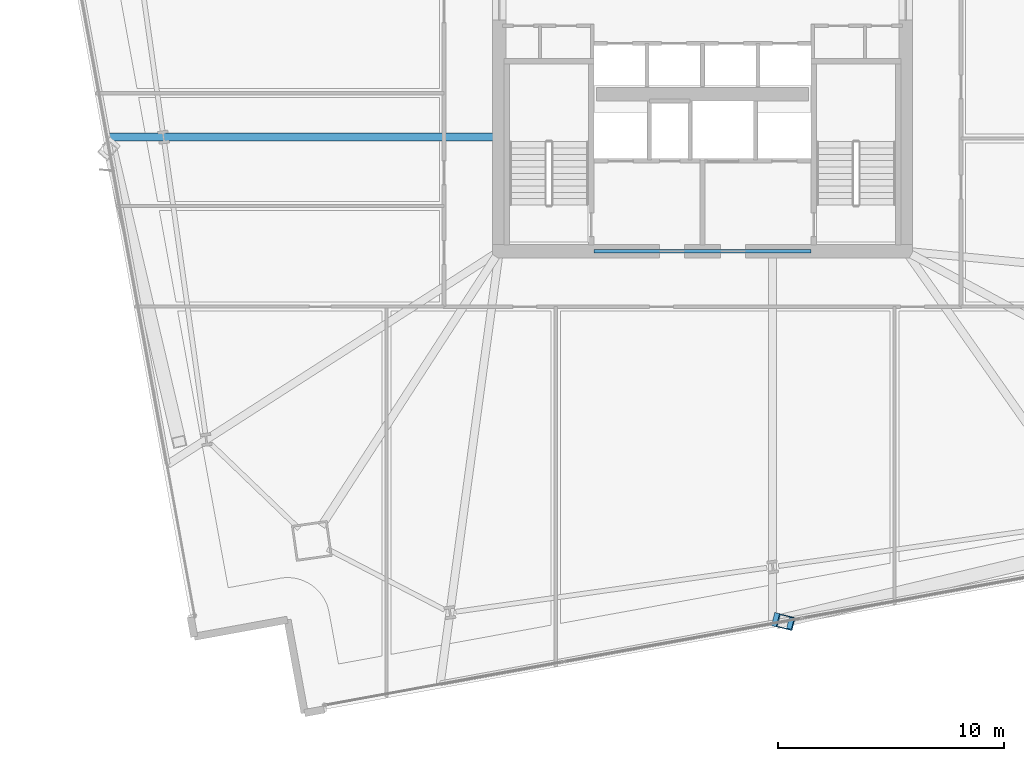
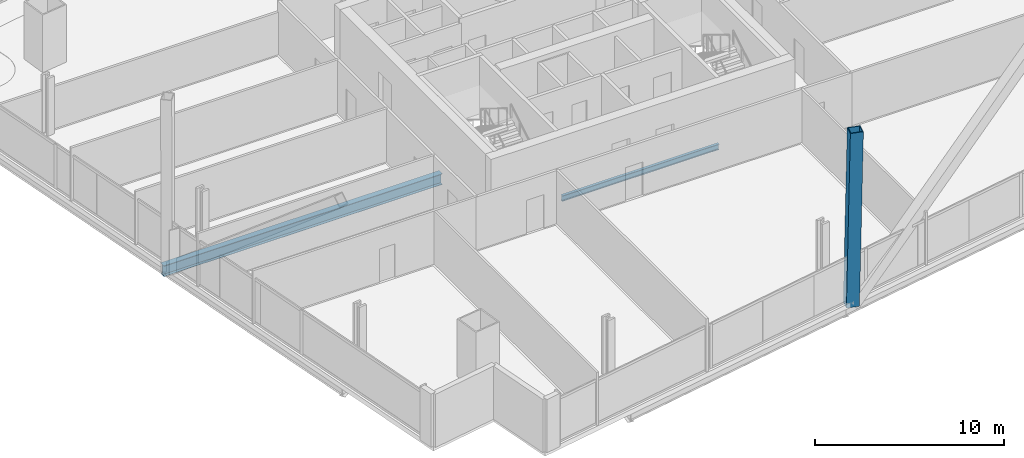
# One storey, part 8 of 34: 2 beams, 1 member.
"""IFC4 building model written with IfcOpenShell, lengths in metres."""

from ifc_helpers import new_model, si_unit, direction, frame, origin, origin_2d, place, context, subcontext, project, spatial, hollow_rectangle, i_section, extrude, material, material_profile, profile_set, type_object, element, save


model = new_model("IFC4")

# Units and contexts
model_context = context("Model", 3, precision=1e-05, world=origin(), true_north=direction((0.0, 1.0)))
body_context = subcontext(model_context, "Body", "Model", "MODEL_VIEW")
ifc_project = project(units=[si_unit("LENGTHUNIT", "METRE"), si_unit("AREAUNIT", "SQUARE_METRE"), si_unit("VOLUMEUNIT", "CUBIC_METRE"), si_unit("PLANEANGLEUNIT", "RADIAN"), si_unit("MASSUNIT", "GRAM", prefix="KILO")], contexts=[model_context])

# Site, building, storey
site_placement = place(None, origin())
site = spatial("IfcSite", under=ifc_project, at=site_placement, CompositionType="ELEMENT")
building_placement = place(site_placement, origin())
building = spatial("IfcBuilding", under=site, at=building_placement, Name="Haldenkirk Collegiate Tower", CompositionType="ELEMENT")
storey_placement = place(building_placement, frame((0.0, 0.0, 62.699951171875)))
storey = spatial("IfcBuildingStorey", under=building, at=storey_placement, Name="L14", CompositionType="ELEMENT", Elevation=62.699951171875)

# Beams
ifc_material_1 = material(Name="Steel ASTM A992 Grade 50", Category="steel")
ifc_material_profile_1 = material_profile(ifc_material_1, i_section(OverallWidth=0.35498046875, OverallDepth=0.696044921875, WebThickness=0.015380859375, FlangeThickness=0.02490234375, at=origin_2d()), Name="W27X146")
ifc_profile_set_1 = profile_set([ifc_material_profile_1], Name="Steel ASTM A992 Grade 50")
beam_type_1 = type_object("IfcBeamType", Name="BM-GIRDER-W27X146", PredefinedType="BEAM", material=ifc_profile_set_1)
beam_1_placement = place(storey_placement, frame((9.6708984375, 23.052978515625, -0.657958984375), z_axis=(1.0, 0.0, 0.0), x_axis=(0.0, 1.0, 0.0)))
element("IfcBeam", 1, at=beam_1_placement, inside=storey, type_object=beam_type_1, Name="L14 primary floor girder 15", PredefinedType="BEAM", context=body_context, shape_type="SweptSolid", body=[
    extrude(i_section(OverallWidth=0.35498046875, OverallDepth=0.696044921875, WebThickness=0.015380859375, FlangeThickness=0.02490234375, at=origin_2d()), origin(), (0.0, 0.0, 1.0), 17.049072265625),
])
ifc_material_profile_2 = material_profile(ifc_material_1, i_section(OverallWidth=0.1708984375, OverallDepth=0.35595703125, WebThickness=0.007080078125, FlangeThickness=0.01171875, at=origin_2d()), Name="W14X34")
ifc_profile_set_2 = profile_set([ifc_material_profile_2], Name="Steel ASTM A992 Grade 50")
beam_type_2 = type_object("IfcBeamType", Name="BM-LINTEL-W14X34", PredefinedType="LINTEL", material=ifc_profile_set_2)
beam_2_placement = place(storey_placement, frame((31.199951171875, 18.0, -0.488037109375), z_axis=(1.0, 0.0, 0.0), x_axis=(0.0, 1.0, 0.0)))
element("IfcBeam", 2, at=beam_2_placement, inside=storey, type_object=beam_type_2, Name="L14 south core coupling lintel", PredefinedType="LINTEL", context=body_context, shape_type="SweptSolid", body=[
    extrude(i_section(OverallWidth=0.1708984375, OverallDepth=0.35595703125, WebThickness=0.007080078125, FlangeThickness=0.01171875, at=origin_2d()), origin(), (0.0, 0.0, 1.0), 9.60009765625),
])

# Member
ifc_material_2 = material(Name="Steel ASTM A572 Grade 50", Category="steel")
ifc_material_profile_3 = material_profile(ifc_material_2, hollow_rectangle(XDim=0.60009765625, YDim=0.719970703125, WallThickness=0.044921875, at=origin_2d()), Name="BOX720X600X45")
ifc_profile_set_3 = profile_set([ifc_material_profile_3], Name="Steel ASTM A572 Grade 50")
member_type = type_object("IfcMemberType", Name="MBR-MEGABRACE-BOX720X600X45", PredefinedType="BRACE", material=ifc_profile_set_3)
member_placement = place(storey_placement, frame((39.478759765625, 1.623291015625, -0.320068359375), z_axis=(0.018898324495, -0.004708308169, 0.999810324594), x_axis=(0.241749156125, 0.970338778733, 0.0)))
element("IfcMember", 3, at=member_placement, inside=storey, type_object=member_type, Name="Perimeter Mega Brace Z1 L14-L16 SL", PredefinedType="BRACE", context=body_context, shape_type="SweptSolid", body=[
    extrude(hollow_rectangle(XDim=0.60009765625, YDim=0.719970703125, WallThickness=0.044921875, at=origin_2d()), origin(), (0.0, 0.0, 1.0), 11.252197265625),
])

save(model, "model.ifc")
